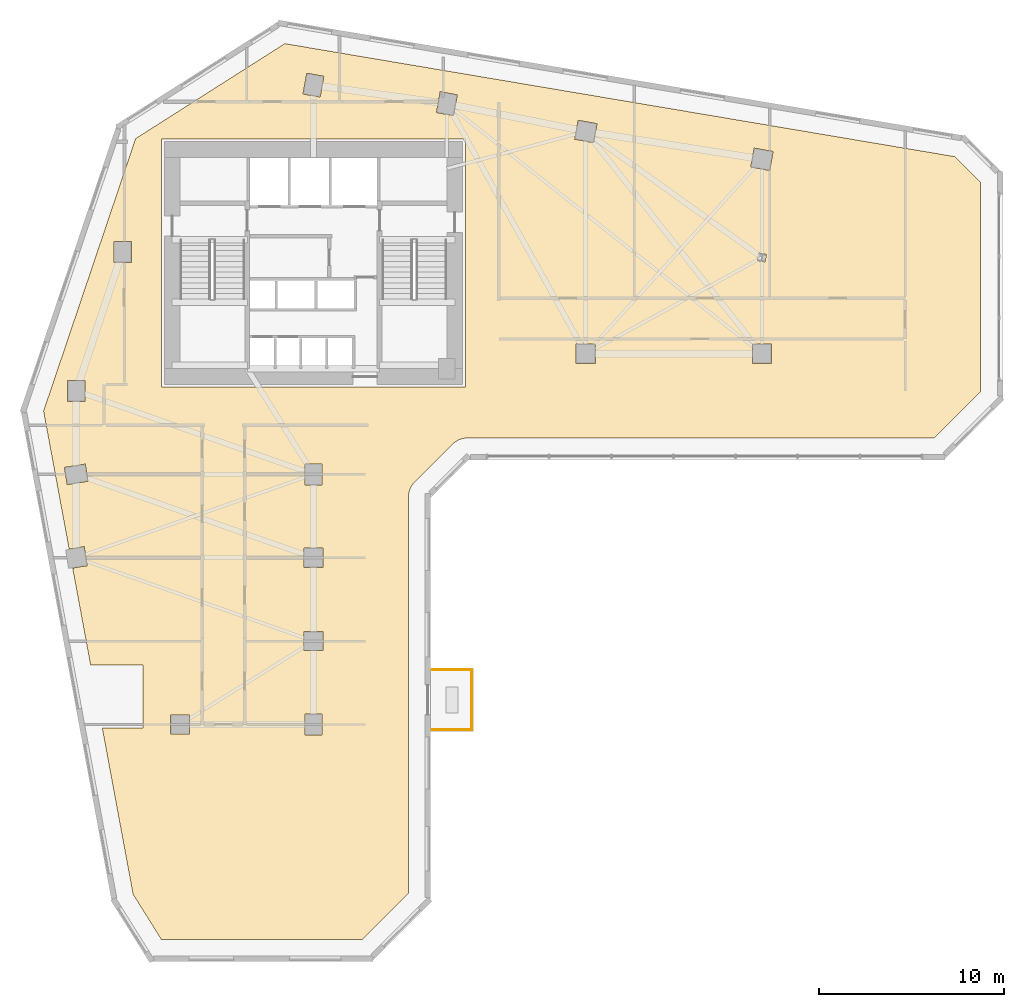
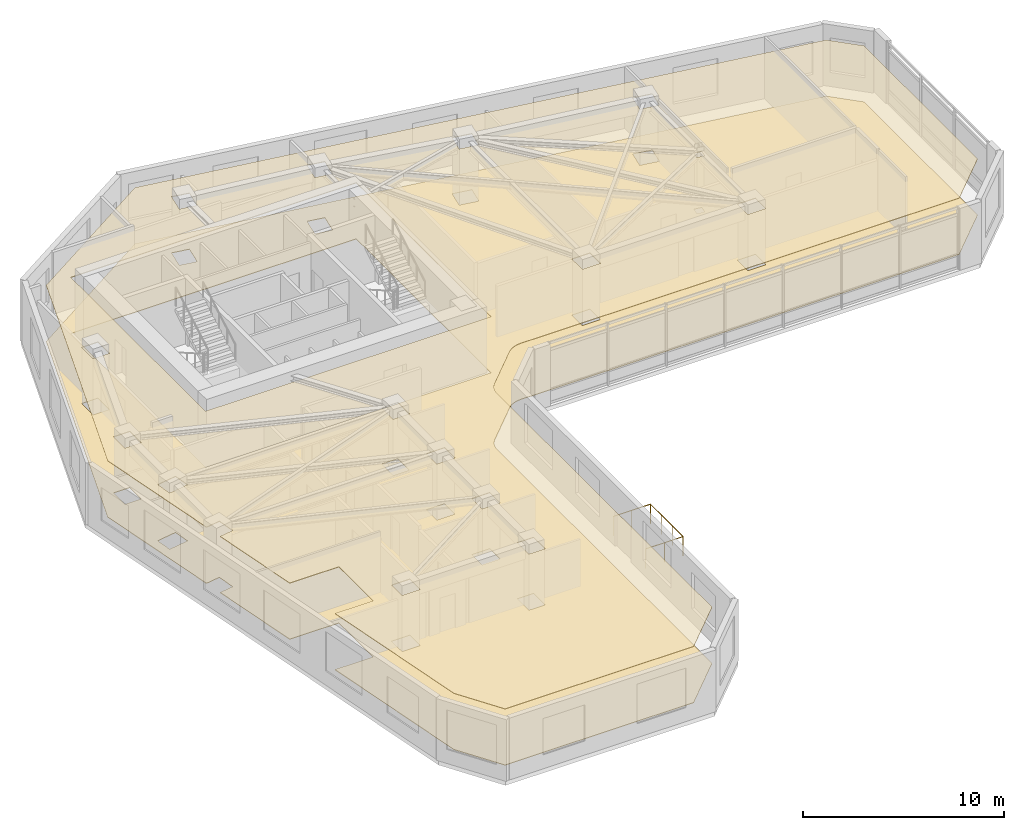
# One storey, part 10 of 11: 3 railings, 2 coverings.
"""IFC4 building model written with IfcOpenShell, lengths in metres."""

from ifc_helpers import new_model, si_unit, direction, frame, origin, origin_2d, place, context, subcontext, project, spatial, polyline, circle, outline, extrude, material, layer, layer_set, type_object, element, save


model = new_model("IFC4")

# Units and contexts
model_context = context("Model", 3, precision=1e-05, world=origin(), true_north=direction((0.0, 1.0)))
body_context = subcontext(model_context, "Body", "Model", "MODEL_VIEW")
ifc_project = project(units=[si_unit("LENGTHUNIT", "METRE"), si_unit("AREAUNIT", "SQUARE_METRE"), si_unit("VOLUMEUNIT", "CUBIC_METRE"), si_unit("PLANEANGLEUNIT", "RADIAN"), si_unit("MASSUNIT", "GRAM", prefix="KILO")], contexts=[model_context])

# Site, building, storey
site_placement = place(None, origin())
site = spatial("IfcSite", under=ifc_project, at=site_placement, CompositionType="ELEMENT")
building_placement = place(site_placement, origin())
building = spatial("IfcBuilding", under=site, at=building_placement, Name="Calvemar Wedge Station Tower", CompositionType="ELEMENT")
storey_placement = place(building_placement, frame((0.0, 0.0, 55.0)))
storey = spatial("IfcBuildingStorey", under=building, at=storey_placement, Name="L13", CompositionType="ELEMENT", Elevation=55.0)

# Coverings
ifc_material_1 = material(Name="Acoustic mineral fibre ceiling board")
ifc_layer_1 = layer(ifc_material_1, 0.0400390625)
ifc_layer_set_1 = layer_set([ifc_layer_1], Name="Acoustic mineral fibre ceiling board")
covering_type_1 = type_object("IfcCoveringType", Name="COV-CEIL-ACOUSTIC", PredefinedType="CEILING", material=ifc_layer_set_1)
covering_1_placement = place(storey_placement, frame((0.0, 0.0, 3.39990234375)))
element("IfcCovering", 1, at=covering_1_placement, inside=storey, type_object=covering_type_1, Name="Storey L13 Acoustic Suspended Ceiling", PredefinedType="CEILING", context=body_context, shape_type="SweptSolid", body=[
    extrude(outline(polyline([(29.279541015625, 28.1083984375), (31.279541015625, 30.1083984375), (31.36669921875, 30.1875), (31.461181640625, 30.2578125), (31.562255859375, 30.318359375), (31.668701171875, 30.36865234375), (31.77978515625, 30.408203125), (31.893798828125, 30.43701171875), (32.010498046875, 30.4541015625), (32.1279296875, 30.4599609375), (57.302978515625, 30.4599609375), (59.800048828125, 32.95703125), (59.800048828125, 44.262939453125), (58.422607421875, 45.640380859375), (22.255126953125, 51.739990234375), (14.201416015625, 46.614990234375), (9.23681640625, 31.911865234375), (10.6162109375, 24.465087890625), (11.43115234375, 24.595703125), (11.595703125, 23.56884765625), (10.805908203125, 23.4423828125), (11.777099609375, 18.199951171875), (14.60009765625, 18.199951171875), (14.60009765625, 14.800048828125), (12.406982421875, 14.800048828125), (14.06640625, 5.8427734375), (15.593017578125, 3.39990234375), (26.430908203125, 3.39990234375), (28.927978515625, 5.897216796875), (28.927978515625, 27.260009765625), (28.933837890625, 27.377685546875), (28.951171875, 27.494140625), (28.979736328125, 27.6083984375), (29.019287109375, 27.71923828125), (29.069580078125, 27.82568359375), (29.130126953125, 27.9267578125), (29.200439453125, 28.021240234375), (29.279541015625, 28.1083984375)]), holes=[polyline([(15.60009765625, 46.60009765625), (32.0, 46.60009765625), (32.0, 33.199951171875), (15.60009765625, 33.199951171875), (15.60009765625, 46.60009765625)]), polyline([(10.530029296875, 32.429931640625), (10.530029296875, 33.570068359375), (11.469970703125, 33.570068359375), (11.469970703125, 32.429931640625), (10.530029296875, 32.429931640625)]), polyline([(13.030029296875, 41.070068359375), (13.969970703125, 41.070068359375), (13.969970703125, 39.929931640625), (13.030029296875, 39.929931640625), (13.030029296875, 41.070068359375)]), polyline([(24.363525390625, 49.977783203125), (24.16162109375, 48.855712890625), (23.236572265625, 49.022216796875), (23.4384765625, 50.144287109375), (24.363525390625, 49.977783203125)]), polyline([(31.361572265625, 47.855712890625), (30.4365234375, 48.022216796875), (30.638427734375, 49.144287109375), (31.5634765625, 48.977783203125), (31.361572265625, 47.855712890625)]), polyline([(37.89599609375, 46.580322265625), (38.080322265625, 47.60400390625), (39.10400390625, 47.419677734375), (38.919677734375, 46.39599609375), (37.89599609375, 46.580322265625)]), polyline([(47.580322265625, 46.10400390625), (48.60400390625, 45.919677734375), (48.419677734375, 44.89599609375), (47.39599609375, 45.080322265625), (47.580322265625, 46.10400390625)]), polyline([(39.02001953125, 35.52001953125), (39.02001953125, 34.47998046875), (37.97998046875, 34.47998046875), (37.97998046875, 35.52001953125), (39.02001953125, 35.52001953125)]), polyline([(48.52001953125, 34.47998046875), (47.47998046875, 34.47998046875), (47.47998046875, 35.52001953125), (48.52001953125, 35.52001953125), (48.52001953125, 34.47998046875)]), polyline([(47.759765625, 40.033935546875), (47.832763671875, 40.439453125), (48.240234375, 40.3662109375), (48.167236328125, 39.960693359375), (47.759765625, 40.033935546875)]), polyline([(11.488525390625, 29.05419921875), (11.63720703125, 28.126220703125), (10.511474609375, 27.94580078125), (10.36279296875, 28.873779296875), (11.488525390625, 29.05419921875)]), polyline([(24.27001953125, 27.929931640625), (23.330078125, 27.929931640625), (23.330078125, 29.070068359375), (24.27001953125, 29.070068359375), (24.27001953125, 27.929931640625)]), polyline([(23.280029296875, 23.47998046875), (23.280029296875, 24.52001953125), (24.320068359375, 24.52001953125), (24.320068359375, 23.47998046875), (23.280029296875, 23.47998046875)]), polyline([(23.280029296875, 20.02001953125), (24.320068359375, 20.02001953125), (24.320068359375, 18.97998046875), (23.280029296875, 18.97998046875), (23.280029296875, 20.02001953125)]), polyline([(24.27001953125, 15.570068359375), (24.27001953125, 14.429931640625), (23.330078125, 14.429931640625), (23.330078125, 15.570068359375), (24.27001953125, 15.570068359375)]), polyline([(17.1201171875, 14.47998046875), (16.080078125, 14.47998046875), (16.080078125, 15.52001953125), (17.1201171875, 15.52001953125), (17.1201171875, 14.47998046875)])]), origin(), (0.0, 0.0, 1.0), 0.0400390625),
])
ifc_material_2 = material(Name="Commercial raised access floor")
ifc_layer_2 = layer(ifc_material_2, 0.030029296875)
ifc_layer_set_2 = layer_set([ifc_layer_2], Name="Commercial raised access floor")
covering_type_2 = type_object("IfcCoveringType", Name="COV-FLR-RAISED", PredefinedType="FLOORING", material=ifc_layer_set_2)
covering_2_placement = place(storey_placement, origin())
element("IfcCovering", 2, at=covering_2_placement, inside=storey, type_object=covering_type_2, Name="Storey L13 Architectural Floor Finish", PredefinedType="FLOORING", context=body_context, shape_type="SweptSolid", body=[
    extrude(outline(polyline([(29.279541015625, 28.1083984375), (31.279541015625, 30.1083984375), (31.36669921875, 30.1875), (31.461181640625, 30.2578125), (31.562255859375, 30.318359375), (31.668701171875, 30.36865234375), (31.77978515625, 30.408203125), (31.893798828125, 30.43701171875), (32.010498046875, 30.4541015625), (32.1279296875, 30.4599609375), (57.302978515625, 30.4599609375), (59.800048828125, 32.95703125), (59.800048828125, 44.262939453125), (58.422607421875, 45.640380859375), (22.255126953125, 51.739990234375), (14.201416015625, 46.614990234375), (9.23681640625, 31.911865234375), (10.6162109375, 24.465087890625), (11.43115234375, 24.595703125), (11.595703125, 23.56884765625), (10.805908203125, 23.4423828125), (11.777099609375, 18.199951171875), (14.60009765625, 18.199951171875), (14.60009765625, 14.800048828125), (12.406982421875, 14.800048828125), (14.06640625, 5.8427734375), (15.593017578125, 3.39990234375), (26.430908203125, 3.39990234375), (28.927978515625, 5.897216796875), (28.927978515625, 27.260009765625), (28.933837890625, 27.377685546875), (28.951171875, 27.494140625), (28.979736328125, 27.6083984375), (29.019287109375, 27.71923828125), (29.069580078125, 27.82568359375), (29.130126953125, 27.9267578125), (29.200439453125, 28.021240234375), (29.279541015625, 28.1083984375)]), holes=[polyline([(15.60009765625, 46.60009765625), (32.0, 46.60009765625), (32.0, 33.199951171875), (15.60009765625, 33.199951171875), (15.60009765625, 46.60009765625)]), polyline([(10.530029296875, 32.429931640625), (10.530029296875, 33.570068359375), (11.469970703125, 33.570068359375), (11.469970703125, 32.429931640625), (10.530029296875, 32.429931640625)]), polyline([(13.030029296875, 41.070068359375), (13.969970703125, 41.070068359375), (13.969970703125, 39.929931640625), (13.030029296875, 39.929931640625), (13.030029296875, 41.070068359375)]), polyline([(24.363525390625, 49.977783203125), (24.16162109375, 48.855712890625), (23.236572265625, 49.022216796875), (23.4384765625, 50.144287109375), (24.363525390625, 49.977783203125)]), polyline([(31.361572265625, 47.855712890625), (30.4365234375, 48.022216796875), (30.638427734375, 49.144287109375), (31.5634765625, 48.977783203125), (31.361572265625, 47.855712890625)]), polyline([(37.89599609375, 46.580322265625), (38.080322265625, 47.60400390625), (39.10400390625, 47.419677734375), (38.919677734375, 46.39599609375), (37.89599609375, 46.580322265625)]), polyline([(47.580322265625, 46.10400390625), (48.60400390625, 45.919677734375), (48.419677734375, 44.89599609375), (47.39599609375, 45.080322265625), (47.580322265625, 46.10400390625)]), polyline([(39.02001953125, 35.52001953125), (39.02001953125, 34.47998046875), (37.97998046875, 34.47998046875), (37.97998046875, 35.52001953125), (39.02001953125, 35.52001953125)]), polyline([(48.52001953125, 34.47998046875), (47.47998046875, 34.47998046875), (47.47998046875, 35.52001953125), (48.52001953125, 35.52001953125), (48.52001953125, 34.47998046875)]), polyline([(47.759765625, 40.033935546875), (47.832763671875, 40.439453125), (48.240234375, 40.3662109375), (48.167236328125, 39.960693359375), (47.759765625, 40.033935546875)]), polyline([(11.488525390625, 29.05419921875), (11.63720703125, 28.126220703125), (10.511474609375, 27.94580078125), (10.36279296875, 28.873779296875), (11.488525390625, 29.05419921875)]), polyline([(24.27001953125, 27.929931640625), (23.330078125, 27.929931640625), (23.330078125, 29.070068359375), (24.27001953125, 29.070068359375), (24.27001953125, 27.929931640625)]), polyline([(23.280029296875, 23.47998046875), (23.280029296875, 24.52001953125), (24.320068359375, 24.52001953125), (24.320068359375, 23.47998046875), (23.280029296875, 23.47998046875)]), polyline([(23.280029296875, 20.02001953125), (24.320068359375, 20.02001953125), (24.320068359375, 18.97998046875), (23.280029296875, 18.97998046875), (23.280029296875, 20.02001953125)]), polyline([(24.27001953125, 15.570068359375), (24.27001953125, 14.429931640625), (23.330078125, 14.429931640625), (23.330078125, 15.570068359375), (24.27001953125, 15.570068359375)]), polyline([(17.1201171875, 14.47998046875), (16.080078125, 14.47998046875), (16.080078125, 15.52001953125), (17.1201171875, 15.52001953125), (17.1201171875, 14.47998046875)])]), origin(), (0.0, 0.0, 1.0), 0.030029296875),
])

# Railings
ifc_material_3 = material(Name="Stainless steel AISI 316L", Category="steel")
railing_type = type_object("IfcRailingType", Name="GRD-TERR-1200", PredefinedType="GUARDRAIL", material=ifc_material_3)
railing_1_placement = place(storey_placement, frame((30.2080078125, 17.949951171875, 0.0)))
element("IfcRailing", 3, at=railing_1_placement, inside=storey, type_object=railing_type, Name="Storey L13 Spiral Terrace Guard 2", PredefinedType="GUARDRAIL", context=body_context, shape_type="SweptSolid", body=[
    extrude(circle(Radius=0.02392578125, at=origin_2d()), frame((0.0, 0.0, 1.17578125), z_axis=(1.0, 0.0, 0.0), x_axis=(0.0, 1.0, 0.0)), (0.0, 0.0, 1.0), 2.139892578125),
    extrude(circle(Radius=0.02099609375, at=origin_2d()), origin(), (0.0, 0.0, 1.0), 1.15185546875),
    extrude(circle(Radius=0.02099609375, at=origin_2d()), frame((1.06982421875, 0.0, 0.0)), (0.0, 0.0, 1.0), 1.15185546875),
    extrude(circle(Radius=0.02099609375, at=origin_2d()), frame((2.139892578125, 0.0, 0.0)), (0.0, 0.0, 1.0), 1.15185546875),
])
railing_2_placement = place(storey_placement, frame((32.347900390625, 17.949951171875, 0.0)))
element("IfcRailing", 4, at=railing_2_placement, inside=storey, type_object=railing_type, Name="Storey L13 Spiral Terrace Guard 3", PredefinedType="GUARDRAIL", context=body_context, shape_type="SweptSolid", body=[
    extrude(circle(Radius=0.02392578125, at=origin_2d()), frame((0.0, 0.0, 1.17578125), z_axis=(0.0, -1.0, 0.0), x_axis=(1.0, 0.0, 0.0)), (0.0, 0.0, 1.0), 3.239990234375),
    extrude(circle(Radius=0.02099609375, at=origin_2d()), origin(), (0.0, 0.0, 1.0), 1.15185546875),
    extrude(circle(Radius=0.02099609375, at=origin_2d()), frame((0.0, -1.080078125, 0.0)), (0.0, 0.0, 1.0), 1.15185546875),
    extrude(circle(Radius=0.02099609375, at=origin_2d()), frame((0.0, -2.159912109375, 0.0)), (0.0, 0.0, 1.0), 1.15185546875),
    extrude(circle(Radius=0.02099609375, at=origin_2d()), frame((0.0, -3.239990234375, 0.0)), (0.0, 0.0, 1.0), 1.15185546875),
])
railing_3_placement = place(storey_placement, frame((32.347900390625, 14.7099609375, 0.0)))
element("IfcRailing", 5, at=railing_3_placement, inside=storey, type_object=railing_type, Name="Storey L13 Spiral Terrace Guard 4", PredefinedType="GUARDRAIL", context=body_context, shape_type="SweptSolid", body=[
    extrude(circle(Radius=0.02392578125, at=origin_2d()), frame((0.0, 0.0, 1.17578125), z_axis=(-1.0, 0.0, 0.0), x_axis=(0.0, -1.0, 0.0)), (0.0, 0.0, 1.0), 2.139892578125),
    extrude(circle(Radius=0.02099609375, at=origin_2d()), origin(), (0.0, 0.0, 1.0), 1.15185546875),
    extrude(circle(Radius=0.02099609375, at=origin_2d()), frame((-1.06982421875, 0.0, 0.0)), (0.0, 0.0, 1.0), 1.15185546875),
    extrude(circle(Radius=0.02099609375, at=origin_2d()), frame((-2.139892578125, 0.0, 0.0)), (0.0, 0.0, 1.0), 1.15185546875),
])

save(model, "model.ifc")
